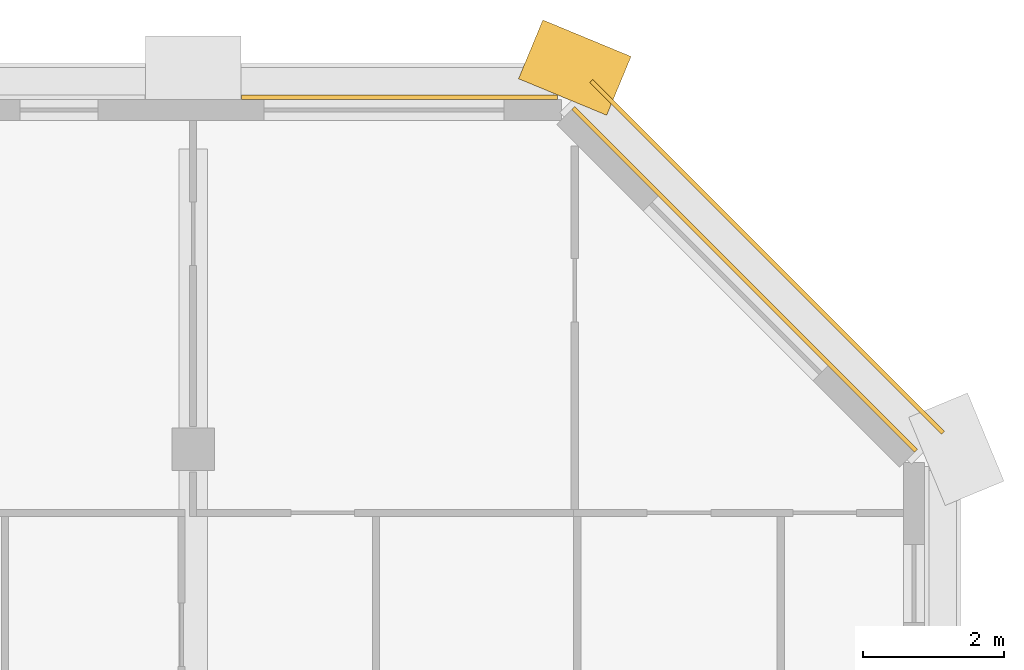
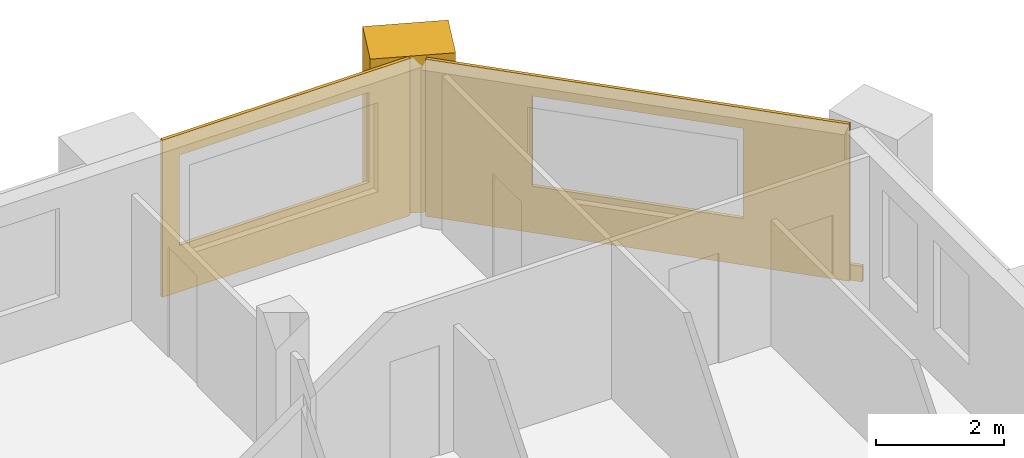
# One storey, part 13 of 13: 4 coverings.
"""IFC4 building model written with IfcOpenShell, lengths in metres."""

from ifc_helpers import new_model, si_unit, direction, frame, frame_2d, origin, place, context, subcontext, project, spatial, polyline, rectangle, outline, extrude, material, layer, layer_set, type_object, element, save


model = new_model("IFC4")

# Units and contexts
model_context = context("Model", 3, precision=1e-05, world=origin(), true_north=direction((0.0, 1.0)))
body_context = subcontext(model_context, "Body", "Model", "MODEL_VIEW")
ifc_project = project(units=[si_unit("LENGTHUNIT", "METRE"), si_unit("AREAUNIT", "SQUARE_METRE"), si_unit("VOLUMEUNIT", "CUBIC_METRE"), si_unit("PLANEANGLEUNIT", "RADIAN"), si_unit("MASSUNIT", "GRAM", prefix="KILO")], contexts=[model_context])

# Site, building, storey
site_placement = place(None, origin())
site = spatial("IfcSite", under=ifc_project, at=site_placement, CompositionType="ELEMENT")
building_placement = place(site_placement, origin())
building = spatial("IfcBuilding", under=site, at=building_placement, Name="Tabaq Tower and Sports Hall", CompositionType="ELEMENT")
storey_placement = place(building_placement, frame((0.0, 0.0, 301.60009765625)))
storey = spatial("IfcBuildingStorey", under=building, at=storey_placement, Name="L75", CompositionType="ELEMENT", Elevation=301.60009765625)

# Coverings
ifc_material_1 = material(Name="Precast concrete C60/75", Category="concrete")
ifc_layer_1 = layer(ifc_material_1, 0.06005859375)
ifc_layer_set_1 = layer_set([ifc_layer_1], Name="Edge beam cladding 60")
covering_type_1 = type_object("IfcCoveringType", Name="Edge beam cladding 60", PredefinedType="CLADDING", material=ifc_layer_set_1)
covering_1_placement = place(storey_placement, frame((48.41015625, 43.432373046875, -0.300048828125), z_axis=(0.0, 0.0, 1.0), x_axis=(-0.707106781187, 0.707106781187, 0.0)))
element("IfcCovering", 1, at=covering_1_placement, inside=storey, type_object=covering_type_1, Name="Edge beam cladding L75 3", PredefinedType="CLADDING", context=body_context, shape_type="SweptSolid", body=[
    extrude(rectangle(XDim=7.03955078125, YDim=0.06005859375, at=frame_2d((3.519775390625, 0.0))), origin(), (0.0, 0.0, 1.0), 0.300048828125),
])
ifc_material_2 = material(Name="White precast concrete C60/75", Category="concrete")
covering_type_2 = type_object("IfcCoveringType", Name="Pier cladding hung 1350x900", PredefinedType="CLADDING", material=ifc_material_2)
covering_2_placement = place(storey_placement, frame((43.82373046875, 48.341796875, 0.0), z_axis=(0.0, 0.0, 1.0), x_axis=(-0.923893411637, 0.382649923473, 0.0)))
element("IfcCovering", 2, at=covering_2_placement, inside=storey, type_object=covering_type_2, Name="Hung pier cladding 8/9", PredefinedType="CLADDING", context=body_context, shape_type="SweptSolid", body=[
    extrude(rectangle(XDim=1.35009765625, YDim=0.89990234375, at=frame_2d((0.675048828125, 0.0))), origin(), (0.0, 0.0, 1.0), 3.0),
])
ifc_material_3 = material(Name="Precast concrete C60/75", Category="concrete")
ifc_layer_2 = layer(ifc_material_3, 0.06005859375)
ifc_layer_set_2 = layer_set([ifc_layer_2], Name="White precast cladding panel 60 C60/75")
covering_type_3 = type_object("IfcCoveringType", Name="White precast cladding panel 60 C60/75", PredefinedType="CLADDING", material=ifc_layer_set_2)
covering_3_placement = place(storey_placement, frame((48.0283203125, 43.177734375, 0.0), z_axis=(0.0, 0.0, 1.0), x_axis=(-0.707106781187, 0.707106781187, 0.0)))
element("IfcCovering", 3, at=covering_3_placement, inside=storey, type_object=covering_type_3, Name="White precast cladding panel L75 wall03", PredefinedType="CLADDING", context=body_context, shape_type="SweptSolid", body=[
    extrude(outline(polyline([(0.0, 0.0), (6.85986328125, 0.0), (6.85986328125, 3.0), (0.0, 3.0), (0.0, 0.0)]), holes=[polyline([(1.7197265625, 0.889892578125), (1.7197265625, 2.60986328125), (5.139892578125, 2.60986328125), (5.139892578125, 0.889892578125), (1.7197265625, 0.889892578125)])]), frame((0.0, 0.030029296875, 0.0), z_axis=(0.0, -1.0, 0.0), x_axis=(1.0, 0.0, 0.0)), (0.0, 0.0, 1.0), 0.06005859375),
])
covering_4_placement = place(storey_placement, frame((42.956787109375, 48.179931640625, 0.0), z_axis=(0.0, 0.0, 1.0), x_axis=(-1.0, 0.0, 0.0)))
element("IfcCovering", 4, at=covering_4_placement, inside=storey, type_object=covering_type_3, Name="White precast cladding panel L75 wall04", PredefinedType="CLADDING", context=body_context, shape_type="SweptSolid", body=[
    extrude(outline(polyline([(0.0, 0.0), (4.4716796875, 0.0), (4.4716796875, 3.0), (0.0, 3.0), (0.0, 0.0)]), holes=[polyline([(0.746826171875, 0.889892578125), (0.746826171875, 2.60986328125), (4.166748046875, 2.60986328125), (4.166748046875, 0.889892578125), (0.746826171875, 0.889892578125)])]), frame((0.0, 0.030029296875, 0.0), z_axis=(0.0, -1.0, 0.0), x_axis=(1.0, 0.0, 0.0)), (0.0, 0.0, 1.0), 0.06005859375),
])

save(model, "model.ifc")
